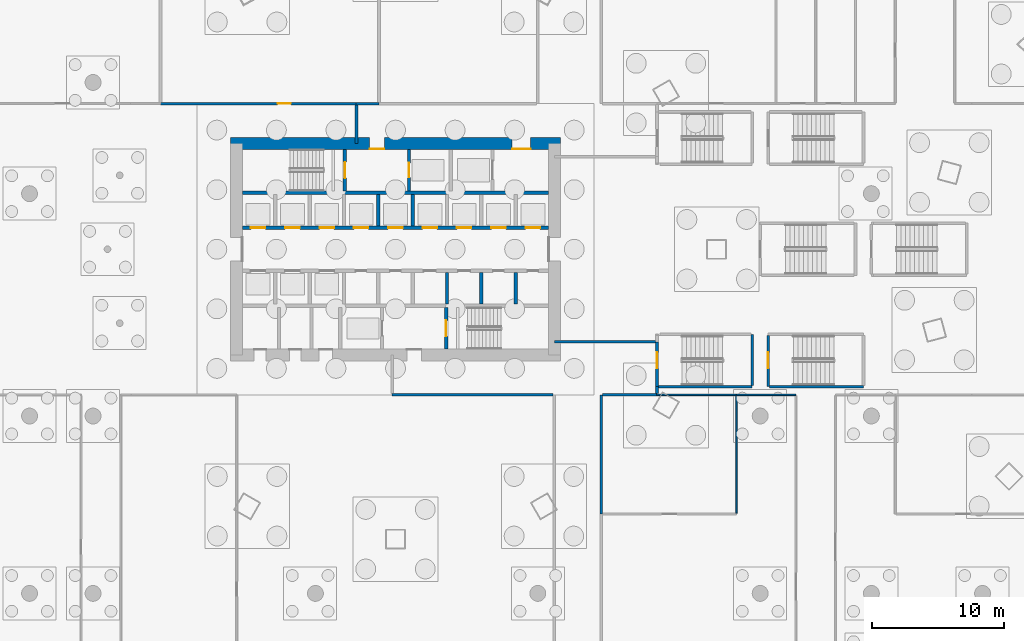
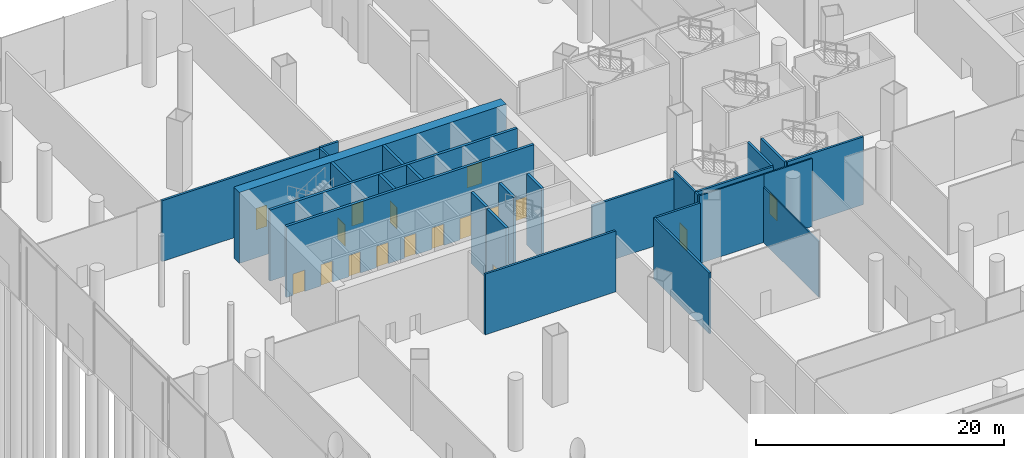
# One storey, part 26 of 41: 27 walls, 17 doors, 17 openings.
"""IFC4 building model written with IfcOpenShell, lengths in metres."""

import ifcopenshell
import ifcopenshell.guid

model = None  # the IFC model being written
_history = None  # IfcOwnerHistory: only IFC2X3 demands one
_inside = {}  # id of a spatial element -> (the spatial element, [elements in it])
_under = {}  # id of a project, library or spatial element -> (it, [spatial elements below it])
_declared = {}  # id of a project -> (the project, [libraries it declares])
_typed = {}  # id of a type object -> (the type object, [elements of that type])
_made_of = {}  # id of a material, layer set ... -> (it, [elements and type objects made of it])


def new_model(schema):
    """Start an empty IFC model of exactly this schema.

    Asked for "IFC4X3", IfcOpenShell would pick the latest addendum, in which some entities
    have other attributes; the version numbers below select the first issue.
    IFC2X3 requires an IfcOwnerHistory on every rooted entity: one is made here for all.
    """
    global model, _history
    if schema == "IFC4X3":
        model = ifcopenshell.file(schema_version=(4, 3, 0, 0))
    else:
        model = ifcopenshell.file(schema=schema)
    _inside.clear()
    _under.clear()
    _declared.clear()
    _typed.clear()
    _made_of.clear()
    _history = None
    if model.schema == "IFC2X3":
        org = make("IfcOrganization", Name="unknown")
        user = make(
            "IfcPersonAndOrganization",
            ThePerson=make("IfcPerson", FamilyName="unknown"),
            TheOrganization=org,
        )
        app = make(
            "IfcApplication",
            ApplicationDeveloper=org,
            Version="unknown",
            ApplicationFullName="unknown",
            ApplicationIdentifier="unknown",
        )
        _history = make(
            "IfcOwnerHistory",
            OwningUser=user,
            OwningApplication=app,
            ChangeAction="ADDED",
            CreationDate=0,
        )
    return model


def make(cls, **values):
    """One entity of the class cls with the attributes given. An attribute that is None is left unset."""
    return model.create_entity(
        cls, **{name: value for name, value in values.items() if value is not None}
    )


def rooted(cls, **values):
    """An entity with a GlobalId (a new one), such as an element, a storey or a relation."""
    return make(cls, GlobalId=ifcopenshell.guid.new(), OwnerHistory=_history, **values)


def si_unit(unit_type, name, prefix=None):
    """IfcSIUnit, for example si_unit("LENGTHUNIT", "METRE", prefix="MILLI")."""
    return make("IfcSIUnit", UnitType=unit_type, Prefix=prefix, Name=name)


def assignment(units):
    """IfcUnitAssignment: the units of a project."""
    return None if units is None else make("IfcUnitAssignment", Units=units)


def point(xyz):
    """IfcCartesianPoint."""
    return None if xyz is None else make("IfcCartesianPoint", Coordinates=xyz)


def direction(xyz):
    """IfcDirection."""
    return None if xyz is None else make("IfcDirection", DirectionRatios=xyz)


def frame(location, z_axis=None, x_axis=None):
    """IfcAxis2Placement3D, a coordinate frame: its origin and axes. An axis left out is left unset."""
    return make(
        "IfcAxis2Placement3D",
        Location=point(location),
        Axis=direction(z_axis),
        RefDirection=direction(x_axis),
    )


def frame_2d(location, x_axis=None):
    """IfcAxis2Placement2D, a coordinate frame in the plane: its origin and x axis."""
    return make(
        "IfcAxis2Placement2D", Location=point(location), RefDirection=direction(x_axis)
    )


def origin():
    """The frame at (0, 0, 0) with its axes left unset."""
    return frame((0.0, 0.0, 0.0))


def place(relative_to, where):
    """IfcLocalPlacement: puts the frame where relative to a parent placement (None: the world)."""
    return make(
        "IfcLocalPlacement", PlacementRelTo=relative_to, RelativePlacement=where
    )


def context(
    kind, dimensions, precision=None, world=None, true_north=None, identifier=None
):
    """IfcGeometricRepresentationContext, for example the 3D "Model" context."""
    return make(
        "IfcGeometricRepresentationContext",
        ContextIdentifier=identifier,
        ContextType=kind,
        CoordinateSpaceDimension=dimensions,
        Precision=precision,
        WorldCoordinateSystem=world,
        TrueNorth=true_north,
    )


def subcontext(parent, identifier, kind, view, scale=None):
    """IfcGeometricRepresentationSubContext, for example "Body" below "Model"."""
    return make(
        "IfcGeometricRepresentationSubContext",
        ContextIdentifier=identifier,
        ContextType=kind,
        ParentContext=parent,
        TargetScale=scale,
        TargetView=view,
    )


def project(units=None, contexts=None):
    """IfcProject with its units and contexts."""
    return rooted(
        "IfcProject",
        Name="project",
        RepresentationContexts=contexts,
        UnitsInContext=assignment(units),
    )


def spatial(cls, under=None, at=None, **own):
    """A site, building, storey or space (cls), placed at a placement, below another one or the project."""
    s = rooted(cls, ObjectPlacement=at, **own)
    if under is not None:
        _under.setdefault(under.id(), (under, []))[1].append(s)
    return s


def profile(cls, at=None, kind="AREA", **sizes):
    """A parametric profile (cls). Its sizes go by their IFC names, for example OverallWidth=200.0."""
    return make(cls, ProfileType=kind, Position=at, **sizes)


def rectangle(**sizes):
    """IfcRectangleProfileDef."""
    return profile("IfcRectangleProfileDef", **sizes)


def extrude(swept, where, along, depth):
    """IfcExtrudedAreaSolid: the profile swept, set in the frame where, extruded along a direction by depth."""
    return make(
        "IfcExtrudedAreaSolid",
        SweptArea=swept,
        Position=where,
        ExtrudedDirection=direction(along),
        Depth=depth,
    )


def shape(context_of_items, identifier, shape_type, items):
    """IfcShapeRepresentation: the items that make up one representation, for example the "Body"."""
    return make(
        "IfcShapeRepresentation",
        ContextOfItems=context_of_items,
        RepresentationIdentifier=identifier,
        RepresentationType=shape_type,
        Items=items,
    )


def material(Name=None, Category=None):
    """IfcMaterial."""
    return make("IfcMaterial", Name=Name, Category=Category)


def layer(
    of_material, thickness, ventilated=None, Name=None, Category=None, Priority=None
):
    """IfcMaterialLayer: one layer of a wall or slab, of a material (None: an air gap)."""
    return make(
        "IfcMaterialLayer",
        Material=of_material,
        LayerThickness=thickness,
        IsVentilated=ventilated,
        Name=Name,
        Category=Category,
        Priority=Priority,
    )


def layer_set(layers, Name=None):
    """IfcMaterialLayerSet."""
    return make("IfcMaterialLayerSet", MaterialLayers=layers, LayerSetName=Name)


def made_of(thing, what):
    """Note that an element or type object is made of a material, layer set ...; save() writes the relation."""
    if what is not None:
        _made_of.setdefault(what.id(), (what, []))[1].append(thing)
    return thing


def type_object(cls, material=None, **own):
    """A type object (cls), such as IfcWallType, which elements share."""
    return made_of(rooted(cls, **own), material)


def element(
    cls,
    number,
    at=None,
    inside=None,
    cuts=None,
    type_object=None,
    material=None,
    context=None,
    identifier="Body",
    shape_type=None,
    held_by="IfcProductDefinitionShape",
    body=None,
    shapes=None,
    **own,
):
    """One element of the class cls, such as IfcWall. Its Tag is "e" and its number.

    at: its placement. inside: the storey or other place that contains it. cuts: it is an
    opening in that element (IfcRelVoidsElement). A single representation is given by context,
    identifier, shape_type and body (its items); several are given by shapes. held_by: the class
    of the entity that holds the representations. save() writes the other relations.
    """
    e = rooted(cls, Tag="e%d" % number, ObjectPlacement=at, **own)
    if body is not None:
        shapes = [shape(context, identifier, shape_type, body)]
    if shapes is not None:
        e.Representation = make(held_by, Representations=shapes)
    if inside is not None:
        _inside.setdefault(inside.id(), (inside, []))[1].append(e)
    if cuts is not None:
        rooted(
            "IfcRelVoidsElement", RelatingBuildingElement=cuts, RelatedOpeningElement=e
        )
    if type_object is not None:
        _typed.setdefault(type_object.id(), (type_object, []))[1].append(e)
    return made_of(e, material)


def fill(opening, filler):
    """IfcRelFillsElement: the door or window that sits in an opening."""
    return rooted(
        "IfcRelFillsElement",
        RelatingOpeningElement=opening,
        RelatedBuildingElement=filler,
    )


def aggregate(whole, parts):
    """IfcRelAggregates: a whole, such as a stair, and the parts it consists of."""
    return rooted("IfcRelAggregates", RelatingObject=whole, RelatedObjects=parts)


def save(model, path):
    """Write the relations noted so far, then the file.

    IfcRelAggregates (storeys below a building ...), IfcRelContainedInSpatialStructure (elements
    in a storey), IfcRelDefinesByType, IfcRelAssociatesMaterial and IfcRelDeclares: one each for
    every whole, place, type object, material and project.
    """
    for whole, parts in _under.values():
        aggregate(whole, parts)
    for where, things in _inside.values():
        rooted(
            "IfcRelContainedInSpatialStructure",
            RelatedElements=things,
            RelatingStructure=where,
        )
    for kind, things in _typed.values():
        rooted("IfcRelDefinesByType", RelatedObjects=things, RelatingType=kind)
    for what, things in _made_of.values():
        rooted("IfcRelAssociatesMaterial", RelatedObjects=things, RelatingMaterial=what)
    for by, libraries in _declared.values():
        rooted("IfcRelDeclares", RelatingContext=by, RelatedDefinitions=libraries)
    model.write(path)


model = new_model("IFC4")

# Units and contexts
model_context = context("Model", 3, precision=1e-05, world=origin(), true_north=direction((0.0, 1.0)))
body_context = subcontext(model_context, "Body", "Model", "MODEL_VIEW")
ifc_project = project(units=[si_unit("LENGTHUNIT", "METRE"), si_unit("AREAUNIT", "SQUARE_METRE"), si_unit("VOLUMEUNIT", "CUBIC_METRE"), si_unit("PLANEANGLEUNIT", "RADIAN"), si_unit("MASSUNIT", "GRAM", prefix="KILO")], contexts=[model_context])

# Site, building, storey
site_placement = place(None, origin())
site = spatial("IfcSite", under=ifc_project, at=site_placement, CompositionType="ELEMENT")
building_placement = place(site_placement, origin())
building = spatial("IfcBuilding", under=site, at=building_placement, Name="Rimbun Link Towers", CompositionType="ELEMENT")
storey_placement = place(building_placement, origin())
storey = spatial("IfcBuildingStorey", under=building, at=storey_placement, Name="L00", CompositionType="ELEMENT", Elevation=0.0)

# Wall, openings, doors
ifc_material_1 = material(Name="Concrete C60/75", Category="concrete")
ifc_layer_1 = layer(ifc_material_1, 0.89990234375)
ifc_layer_set_1 = layer_set([ifc_layer_1], Name="Core shear wall 900")
wall_type_1 = type_object("IfcWallType", Name="Core shear wall 900", PredefinedType="SHEAR", material=ifc_layer_set_1)
wall_1_placement = place(storey_placement, frame((-44.199951171875, 8.0, 0.0), z_axis=(0.0, 0.0, 1.0), x_axis=(1.0, 0.0, 0.0)))
wall_1 = element("IfcWall", 1, at=wall_1_placement, inside=storey, type_object=wall_type_1, Name="L00 T1 core wall N", PredefinedType="SHEAR", context=body_context, shape_type="SweptSolid", body=[
    extrude(rectangle(XDim=24.89990234375, YDim=0.89990234375, at=frame_2d((12.449951171875, 0.0))), origin(), (0.0, 0.0, 1.0), 7.0),
])
opening_1_placement = place(wall_1_placement, frame((10.5, 0.0, 0.0)))
opening_1 = element("IfcOpeningElement", 2, at=opening_1_placement, cuts=wall_1, Name="Opening C1DCF01N", PredefinedType="OPENING", context=body_context, shape_type="SweptSolid", body=[
    extrude(rectangle(XDim=1.10009765625, YDim=2.10009765625, at=frame_2d((0.550048828125, 1.050048828125))), frame((0.0, 0.4599609375, 0.0), z_axis=(0.0, -1.0, 0.0), x_axis=(1.0, 0.0, 0.0)), (0.0, 0.0, 1.0), 0.919921875),
])
opening_2_placement = place(wall_1_placement, frame((21.25, 0.0, 0.0)))
opening_2 = element("IfcOpeningElement", 3, at=opening_2_placement, cuts=wall_1, Name="Opening C1DSL02N", PredefinedType="OPENING", context=body_context, shape_type="SweptSolid", body=[
    extrude(rectangle(XDim=1.39990234375, YDim=2.10009765625, at=frame_2d((0.699951171875, 1.050048828125))), frame((0.0, 0.4599609375, 0.0), z_axis=(0.0, -1.0, 0.0), x_axis=(1.0, 0.0, 0.0)), (0.0, 0.0, 1.0), 0.919921875),
])
ifc_material_2 = material(Name="Steel fire door set", Category="steel")
door_type_1 = type_object("IfcDoorType", Name="Core fire door single", OperationType="SINGLE_SWING_LEFT", PredefinedType="DOOR", material=ifc_material_2)
door_1_placement = place(opening_1_placement, origin())
door_1 = element("IfcDoor", 4, at=door_1_placement, inside=storey, type_object=door_type_1, Name="L00 T1 firefighting lobby n door", OperationType="SINGLE_SWING_LEFT", OverallHeight=2.10009765625, OverallWidth=1.10009765625, PredefinedType="DOOR", context=body_context, shape_type="SweptSolid", body=[
    extrude(rectangle(XDim=1.10009765625, YDim=2.10009765625, at=frame_2d((0.550048828125, 1.050048828125))), frame((0.0, -0.39990234375, 0.0), z_axis=(0.0, -1.0, 0.0), x_axis=(1.0, 0.0, 0.0)), (0.0, 0.0, 1.0), 0.050048828125),
])
fill(opening_1, door_1)
ifc_material_3 = material(Name="Steel fire door set", Category="steel")
door_type_2 = type_object("IfcDoorType", Name="Service lobby door double", OperationType="DOUBLE_DOOR_SINGLE_SWING", PredefinedType="DOOR", material=ifc_material_3)
door_2_placement = place(opening_2_placement, origin())
door_2 = element("IfcDoor", 5, at=door_2_placement, inside=storey, type_object=door_type_2, Name="L00 T1 service lobby door", OperationType="DOUBLE_DOOR_SINGLE_SWING", OverallHeight=2.10009765625, OverallWidth=1.39990234375, PredefinedType="DOOR", context=body_context, shape_type="SweptSolid", body=[
    extrude(rectangle(XDim=1.39990234375, YDim=2.10009765625, at=frame_2d((0.699951171875, 1.050048828125))), frame((0.0, -0.39990234375, 0.0), z_axis=(0.0, -1.0, 0.0), x_axis=(1.0, 0.0, 0.0)), (0.0, 0.0, 1.0), 0.050048828125),
])
fill(opening_2, door_2)

# Walls
ifc_material_4 = material(Name="Concrete blockwork", Category="masonry")
ifc_layer_2 = layer(ifc_material_4, 0.199951171875)
ifc_layer_set_2 = layer_set([ifc_layer_2], Name="Fire partition 200 blockwork")
wall_type_2 = type_object("IfcWallType", Name="Fire partition 200 blockwork", PredefinedType="PARTITIONING", material=ifc_layer_set_2)
wall_2_placement = place(storey_placement, frame((-12.10009765625, -7.0, 0.0), z_axis=(0.0, 0.0, 1.0), x_axis=(-1.0, 0.0, 0.0)))
element("IfcWall", 6, at=wall_2_placement, inside=storey, type_object=wall_type_2, Name="PD/PW/L00/028", PredefinedType="PARTITIONING", context=body_context, shape_type="SweptSolid", body=[
    extrude(rectangle(XDim=7.64990234375, YDim=0.199951171875, at=frame_2d((3.824951171875, 0.0))), origin(), (0.0, 0.0, 1.0), 5.99609375),
])
wall_3_placement = place(storey_placement, frame((-32.02001953125, -11.0, 0.0), z_axis=(0.0, 0.0, 1.0), x_axis=(1.0, 0.0, 0.0)))
element("IfcWall", 7, at=wall_3_placement, inside=storey, type_object=wall_type_2, Name="PD/PW/L00/030", PredefinedType="PARTITIONING", context=body_context, shape_type="SweptSolid", body=[
    extrude(rectangle(XDim=12.169921875, YDim=0.199951171875, at=frame_2d((6.0849609375, 0.0))), origin(), (0.0, 0.0, 1.0), 5.99609375),
])
wall_4_placement = place(storey_placement, frame((-12.0, -10.89990234375, 0.0), z_axis=(0.0, 0.0, 1.0), x_axis=(0.0, 1.0, 0.0)))
element("IfcWall", 8, at=wall_4_placement, inside=storey, type_object=wall_type_2, Name="PD/PW/L00/031", PredefinedType="PARTITIONING", context=body_context, shape_type="SweptSolid", body=[
    extrude(rectangle(XDim=0.52490234375, YDim=0.199951171875, at=frame_2d((0.262451171875, 0.0))), origin(), (0.0, 0.0, 1.0), 6.699951171875),
])
wall_5_placement = place(storey_placement, frame((-16.199951171875, -20.0, 0.0), z_axis=(0.0, 0.0, 1.0), x_axis=(0.0, 1.0, 0.0)))
element("IfcWall", 9, at=wall_5_placement, inside=storey, type_object=wall_type_2, Name="PD/PW/L00/033", PredefinedType="PARTITIONING", context=body_context, shape_type="SweptSolid", body=[
    extrude(rectangle(XDim=9.0, YDim=0.199951171875, at=frame_2d((4.5, 0.0))), origin(), (0.0, 0.0, 1.0), 5.99609375),
])
wall_6_placement = place(storey_placement, frame((-16.10009765625, -11.0, 0.0), z_axis=(0.0, 0.0, 1.0), x_axis=(1.0, 0.0, 0.0)))
element("IfcWall", 10, at=wall_6_placement, inside=storey, type_object=wall_type_2, Name="PD/PW/L00/034", PredefinedType="PARTITIONING", context=body_context, shape_type="SweptSolid", body=[
    extrude(rectangle(XDim=4.1201171875, YDim=0.199951171875, at=frame_2d((2.06005859375, 0.0))), origin(), (0.0, 0.0, 1.0), 5.99609375),
])
wall_7_placement = place(storey_placement, frame((-34.699951171875, 10.89990234375, 0.0), z_axis=(0.0, 0.0, 1.0), x_axis=(0.0, -1.0, 0.0)))
element("IfcWall", 11, at=wall_7_placement, inside=storey, type_object=wall_type_2, Name="PD/PW/L00/037", PredefinedType="PARTITIONING", context=body_context, shape_type="SweptSolid", body=[
    extrude(rectangle(XDim=2.89990234375, YDim=0.199951171875, at=frame_2d((1.449951171875, 0.0))), origin(), (0.0, 0.0, 1.0), 6.076904296875),
])
wall_8_placement = place(storey_placement, frame((-33.0, 11.0, 0.0), z_axis=(0.0, 0.0, 1.0), x_axis=(-1.0, 0.0, 0.0)))
element("IfcWall", 12, at=wall_8_placement, inside=storey, type_object=wall_type_2, Name="PD/PW/L00/040", PredefinedType="PARTITIONING", context=body_context, shape_type="SweptSolid", body=[
    extrude(rectangle(XDim=1.719970703125, YDim=0.199951171875, at=frame_2d((0.85986328125, 0.0))), origin(), (0.0, 0.0, 1.0), 6.076904296875),
])

# Wall, opening, door
wall_9_placement = place(storey_placement, frame((-34.679931640625, 11.0, 0.0), z_axis=(0.0, 0.0, 1.0), x_axis=(-1.0, 0.0, 0.0)))
wall_9 = element("IfcWall", 13, at=wall_9_placement, inside=storey, type_object=wall_type_2, Name="PD/PW/L00/059", PredefinedType="PARTITIONING", context=body_context, shape_type="SweptSolid", body=[
    extrude(rectangle(XDim=14.820068359375, YDim=0.199951171875, at=frame_2d((7.41015625, 0.0))), origin(), (0.0, 0.0, 1.0), 5.99609375),
])
opening_3_placement = place(wall_9_placement, frame((4.971923828125, 0.0, 0.0)))
opening_3 = element("IfcOpeningElement", 14, at=opening_3_placement, cuts=wall_9, Name="Opening PD D00.20", PredefinedType="OPENING", context=body_context, shape_type="SweptSolid", body=[
    extrude(rectangle(XDim=1.0, YDim=2.10009765625, at=frame_2d((0.5, 1.050048828125))), frame((0.0, 0.10986328125, 0.0), z_axis=(0.0, -1.0, 0.0), x_axis=(1.0, 0.0, 0.0)), (0.0, 0.0, 1.0), 0.219970703125),
])
ifc_material_5 = material(Name="Steel fire door set", Category="steel")
door_type_3 = type_object("IfcDoorType", Name="Fire door single leaf 1000 x 2100", OperationType="NOTDEFINED", PredefinedType="DOOR", material=ifc_material_5)
door_3_placement = place(opening_3_placement, origin())
door_3 = element("IfcDoor", 15, at=door_3_placement, inside=storey, type_object=door_type_3, Name="PD/DR/L00/020", OperationType="SINGLE_SWING_LEFT", OverallHeight=2.10009765625, OverallWidth=1.0, PredefinedType="DOOR", context=body_context, shape_type="SweptSolid", body=[
    extrude(rectangle(XDim=1.0, YDim=2.10009765625, at=frame_2d((0.5, 1.050048828125))), frame((0.0, 0.02490234375, 0.0), z_axis=(0.0, -1.0, 0.0), x_axis=(1.0, 0.0, 0.0)), (0.0, 0.0, 1.0), 0.050048828125),
])
fill(opening_3, door_3)

# Walls
ifc_material_6 = material(Name="Gypsum board on steel studs", Category="steel")
ifc_layer_3 = layer(ifc_material_6, 0.125)
ifc_layer_set_3 = layer_set([ifc_layer_3], Name="Partition 125 board on studs")
wall_type_3 = type_object("IfcWallType", Name="Partition 125 board on studs", PredefinedType="PARTITIONING", material=ifc_layer_set_3)
wall_10_placement = place(storey_placement, frame((-12.02001953125, -11.0, 0.0), z_axis=(0.0, 0.0, 1.0), x_axis=(1.0, 0.0, 0.0)))
element("IfcWall", 16, at=wall_10_placement, inside=storey, type_object=wall_type_3, Name="PD/PW/L00/074", PredefinedType="PARTITIONING", context=body_context, shape_type="SweptSolid", body=[
    extrude(rectangle(XDim=6.02001953125, YDim=0.125, at=frame_2d((3.010009765625, 0.0))), origin(), (0.0, 0.0, 1.0), 6.699951171875),
])
wall_11_placement = place(storey_placement, frame((-6.0, -11.0, 0.0), z_axis=(0.0, 0.0, 1.0), x_axis=(1.0, 0.0, 0.0)))
element("IfcWall", 17, at=wall_11_placement, inside=storey, type_object=wall_type_3, Name="PD/PW/L00/076", PredefinedType="PARTITIONING", context=body_context, shape_type="SweptSolid", body=[
    extrude(rectangle(XDim=4.5, YDim=0.125, at=frame_2d((2.25, 0.0))), origin(), (0.0, 0.0, 1.0), 6.699951171875),
])
wall_12_placement = place(storey_placement, frame((-6.0, -19.9375, 0.0), z_axis=(0.0, 0.0, 1.0), x_axis=(0.0, 1.0, 0.0)))
element("IfcWall", 18, at=wall_12_placement, inside=storey, type_object=wall_type_3, Name="PD/PW/L00/104", PredefinedType="PARTITIONING", context=body_context, shape_type="SweptSolid", body=[
    extrude(rectangle(XDim=8.875, YDim=0.125, at=frame_2d((4.4375, 0.0))), origin(), (0.0, 0.0, 1.0), 5.47998046875),
])
ifc_material_7 = material(Name="Concrete C60/75", Category="concrete")
ifc_layer_4 = layer(ifc_material_7, 0.25)
ifc_layer_set_4 = layer_set([ifc_layer_4], Name="Shaft wall 250")
wall_type_4 = type_object("IfcWallType", Name="Shaft wall 250", PredefinedType="SHEAR", material=ifc_layer_set_4)
wall_13_placement = place(storey_placement, frame((-43.300048828125, 4.27490234375, 0.0), z_axis=(0.0, 0.0, 1.0), x_axis=(1.0, 0.0, 0.0)))
element("IfcWall", 19, at=wall_13_placement, inside=storey, type_object=wall_type_4, Name="L00 T1 core wall BN", PredefinedType="SHEAR", context=body_context, shape_type="SweptSolid", body=[
    extrude(rectangle(XDim=23.10009765625, YDim=0.25, at=frame_2d((11.550048828125, 0.0))), origin(), (0.0, 0.0, 1.0), 7.0),
])

# Wall, openings, doors
wall_14_placement = place(storey_placement, frame((-43.300048828125, 1.625, 0.0), z_axis=(0.0, 0.0, 1.0), x_axis=(1.0, 0.0, 0.0)))
wall_14 = element("IfcWall", 20, at=wall_14_placement, inside=storey, type_object=wall_type_4, Name="L00 T1 core wall FN", PredefinedType="SHEAR", context=body_context, shape_type="SweptSolid", body=[
    extrude(rectangle(XDim=23.10009765625, YDim=0.25, at=frame_2d((11.550048828125, 0.0))), origin(), (0.0, 0.0, 1.0), 7.0),
])
opening_4_placement = place(wall_14_placement, frame((0.622314453125, 0.0, 0.0)))
opening_4 = element("IfcOpeningElement", 21, at=opening_4_placement, cuts=wall_14, Name="Opening LD-T1-LR1", PredefinedType="OPENING", context=body_context, shape_type="SweptSolid", body=[
    extrude(rectangle(XDim=1.10009765625, YDim=2.10009765625, at=frame_2d((0.550048828125, 1.050048828125))), frame((0.0, 0.135009765625, 0.0), z_axis=(0.0, -1.0, 0.0), x_axis=(1.0, 0.0, 0.0)), (0.0, 0.0, 1.0), 0.27001953125),
])
opening_5_placement = place(wall_14_placement, frame((3.216796875, 0.0, 0.0)))
opening_5 = element("IfcOpeningElement", 22, at=opening_5_placement, cuts=wall_14, Name="Opening LD-T1-LR2", PredefinedType="OPENING", context=body_context, shape_type="SweptSolid", body=[
    extrude(rectangle(XDim=1.10009765625, YDim=2.10009765625, at=frame_2d((0.550048828125, 1.050048828125))), frame((0.0, 0.135009765625, 0.0), z_axis=(0.0, -1.0, 0.0), x_axis=(1.0, 0.0, 0.0)), (0.0, 0.0, 1.0), 0.27001953125),
])
opening_6_placement = place(wall_14_placement, frame((5.81103515625, 0.0, 0.0)))
opening_6 = element("IfcOpeningElement", 23, at=opening_6_placement, cuts=wall_14, Name="Opening LD-T1-LR3", PredefinedType="OPENING", context=body_context, shape_type="SweptSolid", body=[
    extrude(rectangle(XDim=1.10009765625, YDim=2.10009765625, at=frame_2d((0.550048828125, 1.050048828125))), frame((0.0, 0.135009765625, 0.0), z_axis=(0.0, -1.0, 0.0), x_axis=(1.0, 0.0, 0.0)), (0.0, 0.0, 1.0), 0.27001953125),
])
opening_7_placement = place(wall_14_placement, frame((8.405517578125, 0.0, 0.0)))
opening_7 = element("IfcOpeningElement", 24, at=opening_7_placement, cuts=wall_14, Name="Opening LD-T1-LR4", PredefinedType="OPENING", context=body_context, shape_type="SweptSolid", body=[
    extrude(rectangle(XDim=1.10009765625, YDim=2.10009765625, at=frame_2d((0.550048828125, 1.050048828125))), frame((0.0, 0.135009765625, 0.0), z_axis=(0.0, -1.0, 0.0), x_axis=(1.0, 0.0, 0.0)), (0.0, 0.0, 1.0), 0.27001953125),
])
opening_8_placement = place(wall_14_placement, frame((11.0, 0.0, 0.0)))
opening_8 = element("IfcOpeningElement", 25, at=opening_8_placement, cuts=wall_14, Name="Opening LD-T1-LR5", PredefinedType="OPENING", context=body_context, shape_type="SweptSolid", body=[
    extrude(rectangle(XDim=1.10009765625, YDim=2.10009765625, at=frame_2d((0.550048828125, 1.050048828125))), frame((0.0, 0.135009765625, 0.0), z_axis=(0.0, -1.0, 0.0), x_axis=(1.0, 0.0, 0.0)), (0.0, 0.0, 1.0), 0.27001953125),
])
opening_9_placement = place(wall_14_placement, frame((13.594482421875, 0.0, 0.0)))
opening_9 = element("IfcOpeningElement", 26, at=opening_9_placement, cuts=wall_14, Name="Opening LD-T1-LR6", PredefinedType="OPENING", context=body_context, shape_type="SweptSolid", body=[
    extrude(rectangle(XDim=1.10009765625, YDim=2.10009765625, at=frame_2d((0.550048828125, 1.050048828125))), frame((0.0, 0.135009765625, 0.0), z_axis=(0.0, -1.0, 0.0), x_axis=(1.0, 0.0, 0.0)), (0.0, 0.0, 1.0), 0.27001953125),
])
opening_10_placement = place(wall_14_placement, frame((16.18896484375, 0.0, 0.0)))
opening_10 = element("IfcOpeningElement", 27, at=opening_10_placement, cuts=wall_14, Name="Opening LD-T1-SH1", PredefinedType="OPENING", context=body_context, shape_type="SweptSolid", body=[
    extrude(rectangle(XDim=1.10009765625, YDim=2.10009765625, at=frame_2d((0.550048828125, 1.050048828125))), frame((0.0, 0.135009765625, 0.0), z_axis=(0.0, -1.0, 0.0), x_axis=(1.0, 0.0, 0.0)), (0.0, 0.0, 1.0), 0.27001953125),
])
opening_11_placement = place(wall_14_placement, frame((18.783203125, 0.0, 0.0)))
opening_11 = element("IfcOpeningElement", 28, at=opening_11_placement, cuts=wall_14, Name="Opening LD-T1-SH2", PredefinedType="OPENING", context=body_context, shape_type="SweptSolid", body=[
    extrude(rectangle(XDim=1.10009765625, YDim=2.10009765625, at=frame_2d((0.550048828125, 1.050048828125))), frame((0.0, 0.135009765625, 0.0), z_axis=(0.0, -1.0, 0.0), x_axis=(1.0, 0.0, 0.0)), (0.0, 0.0, 1.0), 0.27001953125),
])
opening_12_placement = place(wall_14_placement, frame((21.377685546875, 0.0, 0.0)))
opening_12 = element("IfcOpeningElement", 29, at=opening_12_placement, cuts=wall_14, Name="Opening LD-T1-SH3", PredefinedType="OPENING", context=body_context, shape_type="SweptSolid", body=[
    extrude(rectangle(XDim=1.10009765625, YDim=2.10009765625, at=frame_2d((0.550048828125, 1.050048828125))), frame((0.0, 0.135009765625, 0.0), z_axis=(0.0, -1.0, 0.0), x_axis=(1.0, 0.0, 0.0)), (0.0, 0.0, 1.0), 0.27001953125),
])
ifc_material_8 = material(Name="Stainless steel grade 316", Category="steel")
door_type_4 = type_object("IfcDoorType", Name="Lift landing door", OperationType="DOUBLE_DOOR_SLIDING", PredefinedType="DOOR", material=ifc_material_8)
door_4_placement = place(opening_4_placement, origin())
door_4 = element("IfcDoor", 30, at=door_4_placement, inside=storey, type_object=door_type_4, Name="L00 T1 lift LR1 landing door", OperationType="DOUBLE_DOOR_SLIDING", OverallHeight=2.10009765625, OverallWidth=1.10009765625, PredefinedType="DOOR", context=body_context, shape_type="SweptSolid", body=[
    extrude(rectangle(XDim=1.10009765625, YDim=2.10009765625, at=frame_2d((0.550048828125, 1.050048828125))), frame((0.0, 0.02490234375, 0.0), z_axis=(0.0, -1.0, 0.0), x_axis=(1.0, 0.0, 0.0)), (0.0, 0.0, 1.0), 0.050048828125),
])
fill(opening_4, door_4)
door_5_placement = place(opening_5_placement, origin())
door_5 = element("IfcDoor", 31, at=door_5_placement, inside=storey, type_object=door_type_4, Name="L00 T1 lift LR2 landing door", OperationType="DOUBLE_DOOR_SLIDING", OverallHeight=2.10009765625, OverallWidth=1.10009765625, PredefinedType="DOOR", context=body_context, shape_type="SweptSolid", body=[
    extrude(rectangle(XDim=1.10009765625, YDim=2.10009765625, at=frame_2d((0.550048828125, 1.050048828125))), frame((0.0, 0.02490234375, 0.0), z_axis=(0.0, -1.0, 0.0), x_axis=(1.0, 0.0, 0.0)), (0.0, 0.0, 1.0), 0.050048828125),
])
fill(opening_5, door_5)
door_6_placement = place(opening_6_placement, origin())
door_6 = element("IfcDoor", 32, at=door_6_placement, inside=storey, type_object=door_type_4, Name="L00 T1 lift LR3 landing door", OperationType="DOUBLE_DOOR_SLIDING", OverallHeight=2.10009765625, OverallWidth=1.10009765625, PredefinedType="DOOR", context=body_context, shape_type="SweptSolid", body=[
    extrude(rectangle(XDim=1.10009765625, YDim=2.10009765625, at=frame_2d((0.550048828125, 1.050048828125))), frame((0.0, 0.02490234375, 0.0), z_axis=(0.0, -1.0, 0.0), x_axis=(1.0, 0.0, 0.0)), (0.0, 0.0, 1.0), 0.050048828125),
])
fill(opening_6, door_6)
door_7_placement = place(opening_7_placement, origin())
door_7 = element("IfcDoor", 33, at=door_7_placement, inside=storey, type_object=door_type_4, Name="L00 T1 lift LR4 landing door", OperationType="DOUBLE_DOOR_SLIDING", OverallHeight=2.10009765625, OverallWidth=1.10009765625, PredefinedType="DOOR", context=body_context, shape_type="SweptSolid", body=[
    extrude(rectangle(XDim=1.10009765625, YDim=2.10009765625, at=frame_2d((0.550048828125, 1.050048828125))), frame((0.0, 0.02490234375, 0.0), z_axis=(0.0, -1.0, 0.0), x_axis=(1.0, 0.0, 0.0)), (0.0, 0.0, 1.0), 0.050048828125),
])
fill(opening_7, door_7)
door_8_placement = place(opening_8_placement, origin())
door_8 = element("IfcDoor", 34, at=door_8_placement, inside=storey, type_object=door_type_4, Name="L00 T1 lift LR5 landing door", OperationType="DOUBLE_DOOR_SLIDING", OverallHeight=2.10009765625, OverallWidth=1.10009765625, PredefinedType="DOOR", context=body_context, shape_type="SweptSolid", body=[
    extrude(rectangle(XDim=1.10009765625, YDim=2.10009765625, at=frame_2d((0.550048828125, 1.050048828125))), frame((0.0, 0.02490234375, 0.0), z_axis=(0.0, -1.0, 0.0), x_axis=(1.0, 0.0, 0.0)), (0.0, 0.0, 1.0), 0.050048828125),
])
fill(opening_8, door_8)
door_9_placement = place(opening_9_placement, origin())
door_9 = element("IfcDoor", 35, at=door_9_placement, inside=storey, type_object=door_type_4, Name="L00 T1 lift LR6 landing door", OperationType="DOUBLE_DOOR_SLIDING", OverallHeight=2.10009765625, OverallWidth=1.10009765625, PredefinedType="DOOR", context=body_context, shape_type="SweptSolid", body=[
    extrude(rectangle(XDim=1.10009765625, YDim=2.10009765625, at=frame_2d((0.550048828125, 1.050048828125))), frame((0.0, 0.02490234375, 0.0), z_axis=(0.0, -1.0, 0.0), x_axis=(1.0, 0.0, 0.0)), (0.0, 0.0, 1.0), 0.050048828125),
])
fill(opening_9, door_9)
door_10_placement = place(opening_10_placement, origin())
door_10 = element("IfcDoor", 36, at=door_10_placement, inside=storey, type_object=door_type_4, Name="L00 T1 lift SH1 landing door", OperationType="DOUBLE_DOOR_SLIDING", OverallHeight=2.10009765625, OverallWidth=1.10009765625, PredefinedType="DOOR", context=body_context, shape_type="SweptSolid", body=[
    extrude(rectangle(XDim=1.10009765625, YDim=2.10009765625, at=frame_2d((0.550048828125, 1.050048828125))), frame((0.0, 0.02490234375, 0.0), z_axis=(0.0, -1.0, 0.0), x_axis=(1.0, 0.0, 0.0)), (0.0, 0.0, 1.0), 0.050048828125),
])
fill(opening_10, door_10)
door_11_placement = place(opening_11_placement, origin())
door_11 = element("IfcDoor", 37, at=door_11_placement, inside=storey, type_object=door_type_4, Name="L00 T1 lift SH2 landing door", OperationType="DOUBLE_DOOR_SLIDING", OverallHeight=2.10009765625, OverallWidth=1.10009765625, PredefinedType="DOOR", context=body_context, shape_type="SweptSolid", body=[
    extrude(rectangle(XDim=1.10009765625, YDim=2.10009765625, at=frame_2d((0.550048828125, 1.050048828125))), frame((0.0, 0.02490234375, 0.0), z_axis=(0.0, -1.0, 0.0), x_axis=(1.0, 0.0, 0.0)), (0.0, 0.0, 1.0), 0.050048828125),
])
fill(opening_11, door_11)
door_12_placement = place(opening_12_placement, origin())
door_12 = element("IfcDoor", 38, at=door_12_placement, inside=storey, type_object=door_type_4, Name="L00 T1 lift SH3 landing door", OperationType="DOUBLE_DOOR_SLIDING", OverallHeight=2.10009765625, OverallWidth=1.10009765625, PredefinedType="DOOR", context=body_context, shape_type="SweptSolid", body=[
    extrude(rectangle(XDim=1.10009765625, YDim=2.10009765625, at=frame_2d((0.550048828125, 1.050048828125))), frame((0.0, 0.02490234375, 0.0), z_axis=(0.0, -1.0, 0.0), x_axis=(1.0, 0.0, 0.0)), (0.0, 0.0, 1.0), 0.050048828125),
])
fill(opening_12, door_12)

# Walls
for number, where, z_axis, x_axis, name in (
    (39, (-33.047119140625, 1.75, 0.0), (0.0, 0.0, 1.0), (0.0, 1.0, 0.0), "L00 T1 core wall DN3"),
    (40, (-30.452880859375, 1.75, 0.0), (0.0, 0.0, 1.0), (0.0, 1.0, 0.0), "L00 T1 core wall DN4"),
    (41, (-27.8583984375, -4.14990234375, 0.0), (0.0, 0.0, 1.0), (0.0, 1.0, 0.0), "L00 T1 core wall DS5"),
    (42, (-25.263916015625, -4.14990234375, 0.0), (0.0, 0.0, 1.0), (0.0, 1.0, 0.0), "L00 T1 core wall DS6"),
    (43, (-22.66943359375, -4.14990234375, 0.0), (0.0, 0.0, 1.0), (0.0, 1.0, 0.0), "L00 T1 core wall DS7"),
):
    element("IfcWall", number, at=place(storey_placement, frame(where, z_axis=z_axis, x_axis=x_axis)), inside=storey, type_object=wall_type_4, Name=name, PredefinedType="SHEAR", context=body_context, shape_type="SweptSolid", body=[
        extrude(rectangle(XDim=2.39990234375, YDim=0.25, at=frame_2d((1.199951171875, 0.0))), origin(), (0.0, 0.0, 1.0), 7.0),
    ])

# Wall, opening, door
wall_15_placement = place(storey_placement, frame((-35.574951171875, 4.39990234375, 0.0), z_axis=(0.0, 0.0, 1.0), x_axis=(0.0, 1.0, 0.0)))
wall_15 = element("IfcWall", 44, at=wall_15_placement, inside=storey, type_object=wall_type_4, Name="L00 T1 core wall A1", PredefinedType="SHEAR", context=body_context, shape_type="SweptSolid", body=[
    extrude(rectangle(XDim=3.150146484375, YDim=0.25, at=frame_2d((1.5751953125, 0.0))), origin(), (0.0, 0.0, 1.0), 7.0),
])
opening_13_placement = place(wall_15_placement, frame((0.97509765625, 0.0, 0.0)))
opening_13 = element("IfcOpeningElement", 45, at=opening_13_placement, cuts=wall_15, Name="Opening C1DST01A1", PredefinedType="OPENING", context=body_context, shape_type="SweptSolid", body=[
    extrude(rectangle(XDim=1.199951171875, YDim=2.10009765625, at=frame_2d((0.60009765625, 1.050048828125))), frame((0.0, 0.135009765625, 0.0), z_axis=(0.0, -1.0, 0.0), x_axis=(1.0, 0.0, 0.0)), (0.0, 0.0, 1.0), 0.27001953125),
])
ifc_material_9 = material(Name="Steel fire door set", Category="steel")
door_type_5 = type_object("IfcDoorType", Name="Stair door", OperationType="SINGLE_SWING_LEFT", PredefinedType="DOOR", material=ifc_material_9)
door_13_placement = place(opening_13_placement, origin())
door_13 = element("IfcDoor", 46, at=door_13_placement, inside=storey, type_object=door_type_5, Name="L00 T1 stair a door", OperationType="SINGLE_SWING_RIGHT", OverallHeight=2.10009765625, OverallWidth=1.199951171875, PredefinedType="DOOR", context=body_context, shape_type="SweptSolid", body=[
    extrude(rectangle(XDim=1.199951171875, YDim=2.10009765625, at=frame_2d((0.60009765625, 1.050048828125))), frame((0.0, 0.02490234375, 0.0), z_axis=(0.0, -1.0, 0.0), x_axis=(1.0, 0.0, 0.0)), (0.0, 0.0, 1.0), 0.050048828125),
])
fill(opening_13, door_13)

wall_16_placement = place(storey_placement, frame((-30.72509765625, 4.39990234375, 0.0), z_axis=(0.0, 0.0, 1.0), x_axis=(0.0, 1.0, 0.0)))
wall_16 = element("IfcWall", 47, at=wall_16_placement, inside=storey, type_object=wall_type_4, Name="L00 T1 core wall A2", PredefinedType="SHEAR", context=body_context, shape_type="SweptSolid", body=[
    extrude(rectangle(XDim=3.150146484375, YDim=0.25, at=frame_2d((1.5751953125, 0.0))), origin(), (0.0, 0.0, 1.0), 7.0),
])
opening_14_placement = place(wall_16_placement, frame((1.02490234375, 0.0, 0.0)))
opening_14 = element("IfcOpeningElement", 48, at=opening_14_placement, cuts=wall_16, Name="Opening LD-T1-FF1", PredefinedType="OPENING", context=body_context, shape_type="SweptSolid", body=[
    extrude(rectangle(XDim=1.10009765625, YDim=2.10009765625, at=frame_2d((0.550048828125, 1.050048828125))), frame((0.0, 0.135009765625, 0.0), z_axis=(0.0, -1.0, 0.0), x_axis=(1.0, 0.0, 0.0)), (0.0, 0.0, 1.0), 0.27001953125),
])
door_14_placement = place(opening_14_placement, origin())
door_14 = element("IfcDoor", 49, at=door_14_placement, inside=storey, type_object=door_type_4, Name="L00 T1 lift FF1 landing door", OperationType="DOUBLE_DOOR_SLIDING", OverallHeight=2.10009765625, OverallWidth=1.10009765625, PredefinedType="DOOR", context=body_context, shape_type="SweptSolid", body=[
    extrude(rectangle(XDim=1.10009765625, YDim=2.10009765625, at=frame_2d((0.550048828125, 1.050048828125))), frame((0.0, 0.02490234375, 0.0), z_axis=(0.0, -1.0, 0.0), x_axis=(1.0, 0.0, 0.0)), (0.0, 0.0, 1.0), 0.050048828125),
])
fill(opening_14, door_14)

wall_17_placement = place(storey_placement, frame((-27.925048828125, -4.39990234375, 0.0), z_axis=(0.0, 0.0, 1.0), x_axis=(0.0, -1.0, 0.0)))
wall_17 = element("IfcWall", 50, at=wall_17_placement, inside=storey, type_object=wall_type_4, Name="L00 T1 core wall B1", PredefinedType="SHEAR", context=body_context, shape_type="SweptSolid", body=[
    extrude(rectangle(XDim=3.150146484375, YDim=0.25, at=frame_2d((1.5751953125, 0.0))), origin(), (0.0, 0.0, 1.0), 7.0),
])
opening_15_placement = place(wall_17_placement, frame((0.97509765625, 0.0, 0.0)))
opening_15 = element("IfcOpeningElement", 51, at=opening_15_placement, cuts=wall_17, Name="Opening C1DST01B1", PredefinedType="OPENING", context=body_context, shape_type="SweptSolid", body=[
    extrude(rectangle(XDim=1.199951171875, YDim=2.10009765625, at=frame_2d((0.60009765625, 1.050048828125))), frame((0.0, 0.135009765625, 0.0), z_axis=(0.0, -1.0, 0.0), x_axis=(1.0, 0.0, 0.0)), (0.0, 0.0, 1.0), 0.27001953125),
])
door_15_placement = place(opening_15_placement, origin())
door_15 = element("IfcDoor", 52, at=door_15_placement, inside=storey, type_object=door_type_5, Name="L00 T1 stair b door", OperationType="SINGLE_SWING_LEFT", OverallHeight=2.10009765625, OverallWidth=1.199951171875, PredefinedType="DOOR", context=body_context, shape_type="SweptSolid", body=[
    extrude(rectangle(XDim=1.199951171875, YDim=2.10009765625, at=frame_2d((0.60009765625, 1.050048828125))), frame((0.0, 0.02490234375, 0.0), z_axis=(0.0, -1.0, 0.0), x_axis=(1.0, 0.0, 0.0)), (0.0, 0.0, 1.0), 0.050048828125),
])
fill(opening_15, door_15)

ifc_material_10 = material(Name="Concrete C40/50", Category="concrete")
ifc_layer_5 = layer(ifc_material_10, 0.199951171875)
ifc_layer_set_5 = layer_set([ifc_layer_5], Name="Stair shaft wall 200")
wall_type_5 = type_object("IfcWallType", Name="Stair shaft wall 200", PredefinedType="SOLIDWALL", material=ifc_layer_set_5)
wall_18_placement = place(storey_placement, frame((-12.0, -7.0, 0.0), z_axis=(0.0, 0.0, 1.0), x_axis=(0.0, -1.0, 0.0)))
wall_18 = element("IfcWall", 53, at=wall_18_placement, inside=storey, type_object=wall_type_5, Name="PD/PW/L00/001", PredefinedType="SOLIDWALL", context=body_context, shape_type="SweptSolid", body=[
    extrude(rectangle(XDim=3.39501953125, YDim=0.199951171875, at=frame_2d((1.697509765625, 0.0))), origin(), (0.0, 0.0, 1.0), 6.699951171875),
])
opening_16_placement = place(wall_18_placement, frame((0.800048828125, 0.0, 0.0)))
opening_16 = element("IfcOpeningElement", 54, at=opening_16_placement, cuts=wall_18, Name="Opening PD DS1", PredefinedType="OPENING", context=body_context, shape_type="SweptSolid", body=[
    extrude(rectangle(XDim=1.199951171875, YDim=2.10009765625, at=frame_2d((0.60009765625, 1.050048828125))), frame((0.0, 0.10986328125, 0.0), z_axis=(0.0, -1.0, 0.0), x_axis=(1.0, 0.0, 0.0)), (0.0, 0.0, 1.0), 0.219970703125),
])
door_16_placement = place(opening_16_placement, frame((1.199951171875, 0.0, 0.0), z_axis=(0.0, 0.0, 1.0), x_axis=(-1.0, 0.0, 0.0)))
door_16 = element("IfcDoor", 55, at=door_16_placement, inside=storey, type_object=door_type_5, Name="PD/DR/L00/S1", OperationType="SINGLE_SWING_LEFT", OverallHeight=2.10009765625, OverallWidth=1.199951171875, PredefinedType="DOOR", context=body_context, shape_type="SweptSolid", body=[
    extrude(rectangle(XDim=1.199951171875, YDim=2.10009765625, at=frame_2d((0.60009765625, 1.050048828125))), frame((0.0, 0.02490234375, 0.0), z_axis=(0.0, -1.0, 0.0), x_axis=(1.0, 0.0, 0.0)), (0.0, 0.0, 1.0), 0.050048828125),
])
fill(opening_16, door_16)

# Walls
wall_19_placement = place(storey_placement, frame((-11.89990234375, -10.375, 0.0), z_axis=(0.0, 0.0, 1.0), x_axis=(1.0, 0.0, 0.0)))
element("IfcWall", 56, at=wall_19_placement, inside=storey, type_object=wall_type_5, Name="PD/PW/L00/003", PredefinedType="SOLIDWALL", context=body_context, shape_type="SweptSolid", body=[
    extrude(rectangle(XDim=7.099853515625, YDim=0.199951171875, at=frame_2d((3.5498046875, 0.0))), origin(), (0.0, 0.0, 1.0), 6.699951171875),
])
wall_20_placement = place(storey_placement, frame((-4.800048828125, -10.27490234375, 0.0), z_axis=(0.0, 0.0, 1.0), x_axis=(0.0, 1.0, 0.0)))
element("IfcWall", 57, at=wall_20_placement, inside=storey, type_object=wall_type_5, Name="PD/PW/L00/004", PredefinedType="SOLIDWALL", context=body_context, shape_type="SweptSolid", body=[
    extrude(rectangle(XDim=3.849853515625, YDim=0.199951171875, at=frame_2d((1.9248046875, 0.0))), origin(), (0.0, 0.0, 1.0), 6.699951171875),
])

# Wall, opening, door
wall_21_placement = place(storey_placement, frame((-3.60009765625, -6.52490234375, 0.0), z_axis=(0.0, 0.0, 1.0), x_axis=(0.0, -1.0, 0.0)))
wall_21 = element("IfcWall", 58, at=wall_21_placement, inside=storey, type_object=wall_type_5, Name="PD/PW/L00/007", PredefinedType="SOLIDWALL", context=body_context, shape_type="SweptSolid", body=[
    extrude(rectangle(XDim=3.85009765625, YDim=0.199951171875, at=frame_2d((1.925048828125, 0.0))), origin(), (0.0, 0.0, 1.0), 6.699951171875),
])
opening_17_placement = place(wall_21_placement, frame((1.27490234375, 0.0, 0.0)))
opening_17 = element("IfcOpeningElement", 59, at=opening_17_placement, cuts=wall_21, Name="Opening PD DS2", PredefinedType="OPENING", context=body_context, shape_type="SweptSolid", body=[
    extrude(rectangle(XDim=1.199951171875, YDim=2.10009765625, at=frame_2d((0.60009765625, 1.050048828125))), frame((0.0, 0.10986328125, 0.0), z_axis=(0.0, -1.0, 0.0), x_axis=(1.0, 0.0, 0.0)), (0.0, 0.0, 1.0), 0.219970703125),
])
door_17_placement = place(opening_17_placement, frame((1.199951171875, 0.0, 0.0), z_axis=(0.0, 0.0, 1.0), x_axis=(-1.0, 0.0, 0.0)))
door_17 = element("IfcDoor", 60, at=door_17_placement, inside=storey, type_object=door_type_5, Name="PD/DR/L00/S2", OperationType="SINGLE_SWING_LEFT", OverallHeight=2.10009765625, OverallWidth=1.199951171875, PredefinedType="DOOR", context=body_context, shape_type="SweptSolid", body=[
    extrude(rectangle(XDim=1.199951171875, YDim=2.10009765625, at=frame_2d((0.60009765625, 1.050048828125))), frame((0.0, 0.02490234375, 0.0), z_axis=(0.0, -1.0, 0.0), x_axis=(1.0, 0.0, 0.0)), (0.0, 0.0, 1.0), 0.050048828125),
])
fill(opening_17, door_17)

# Wall
wall_22_placement = place(storey_placement, frame((-3.5, -10.375, 0.0), z_axis=(0.0, 0.0, 1.0), x_axis=(1.0, 0.0, 0.0)))
element("IfcWall", 61, at=wall_22_placement, inside=storey, type_object=wall_type_5, Name="PD/PW/L00/008", PredefinedType="SOLIDWALL", context=body_context, shape_type="SweptSolid", body=[
    extrude(rectangle(XDim=7.10009765625, YDim=0.199951171875, at=frame_2d((3.550048828125, 0.0))), origin(), (0.0, 0.0, 1.0), 6.699951171875),
])

save(model, "model.ifc")
